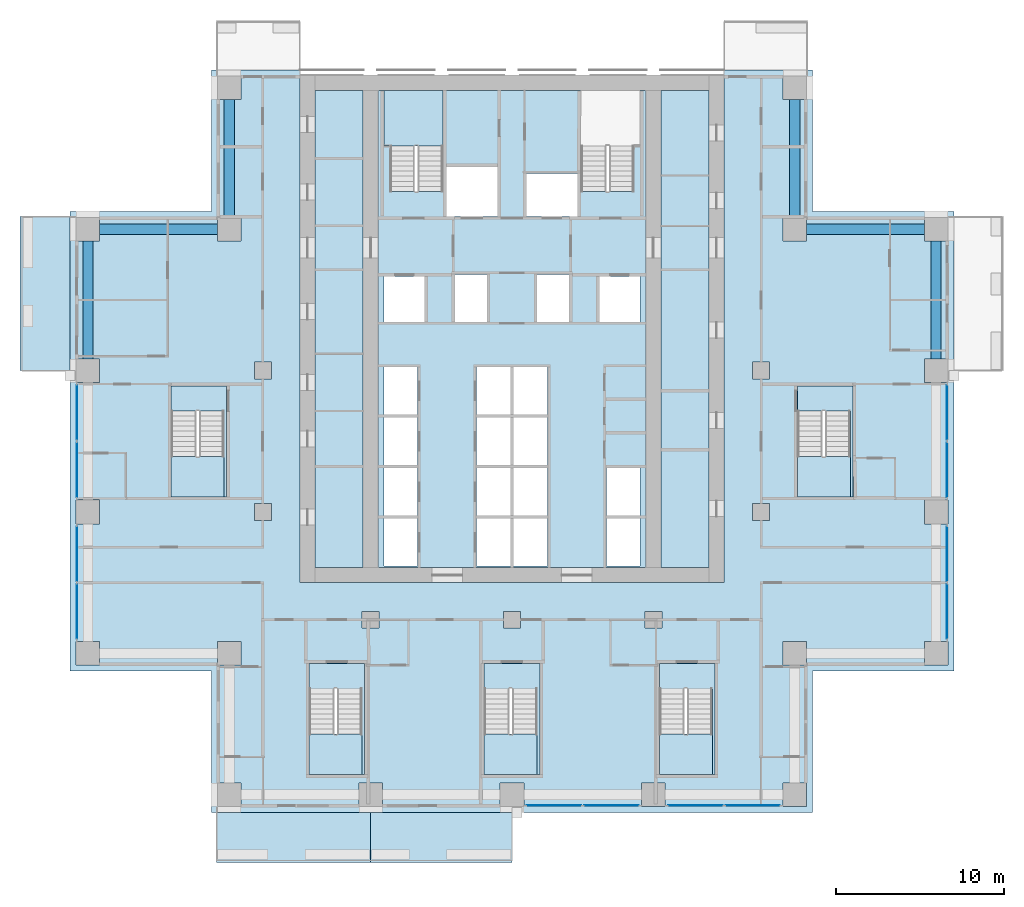
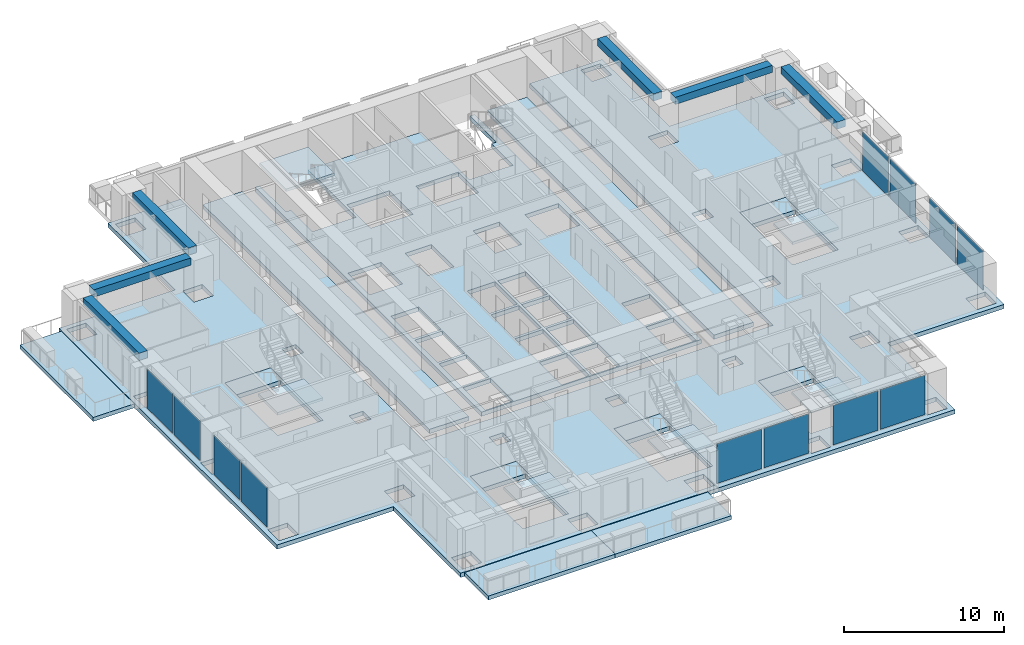
# One storey, part 5 of 16: 18 slabs, 12 plates, 6 beams, 12 elements without a shape of their own.
"""IFC4 building model written with IfcOpenShell, lengths in metres."""

from ifc_helpers import new_model, si_unit, direction, frame, origin, origin_2d, place, context, subcontext, project, spatial, polyline, rectangle, outline, extrude, material, layer, layer_set, material_profile, profile_set, type_object, element, aggregate, save


model = new_model("IFC4")

# Units and contexts
model_context = context("Model", 3, precision=1e-05, world=origin(), true_north=direction((0.0, 1.0)))
body_context = subcontext(model_context, "Body", "Model", "MODEL_VIEW")
ifc_project = project(units=[si_unit("LENGTHUNIT", "METRE"), si_unit("AREAUNIT", "SQUARE_METRE"), si_unit("VOLUMEUNIT", "CUBIC_METRE"), si_unit("PLANEANGLEUNIT", "RADIAN"), si_unit("MASSUNIT", "GRAM", prefix="KILO")], contexts=[model_context])

# Site, building, storey
site_placement = place(None, origin())
site = spatial("IfcSite", under=ifc_project, at=site_placement, CompositionType="ELEMENT")
building_placement = place(site_placement, origin())
building = spatial("IfcBuilding", under=site, at=building_placement, Name="Vermilion Ogive Tower", CompositionType="ELEMENT")
storey_placement = place(building_placement, frame((0.0, 0.0, 44.85009765625)))
storey = spatial("IfcBuildingStorey", under=building, at=storey_placement, Name="L09", CompositionType="ELEMENT", Elevation=44.85009765625)

# Beams
ifc_material_1 = material(Name="Concrete B45", Category="concrete")
ifc_material_profile = material_profile(ifc_material_1, rectangle(XDim=0.60009765625, YDim=0.550048828125, at=origin_2d()), Name="600 x 550")
ifc_profile_set = profile_set([ifc_material_profile], Name="Concrete B45")
beam_type = type_object("IfcBeamType", Name="Edge beam 600 x 550 B45", PredefinedType="BEAM", material=ifc_profile_set)
for number, where, z_axis, x_axis, name in (
    (1, (25.199951171875, 4.89990234375, 2.85498046875), (0.0, 1.0, 0.0), (-1.0, 0.0, 0.0), "L09-EB-9"),
    (2, (24.5, 12.60009765625, 2.85498046875), (-1.0, 0.0, 0.0), (0.0, -1.0, 0.0), "L09-EB-10"),
    (3, (16.800048828125, 13.300048828125, 2.85498046875), (0.0, 1.0, 0.0), (-1.0, 0.0, 0.0), "L09-EB-11"),
    (4, (-16.800048828125, 20.300048828125, 2.85498046875), (0.0, -1.0, 0.0), (1.0, 0.0, 0.0), "L09-EB-12"),
    (5, (-17.5, 12.60009765625, 2.85498046875), (-1.0, 0.0, 0.0), (0.0, -1.0, 0.0), "L09-EB-13"),
    (6, (-25.199951171875, 11.89990234375, 2.85498046875), (0.0, -1.0, 0.0), (1.0, 0.0, 0.0), "L09-EB-14"),
):
    element("IfcBeam", number, at=place(storey_placement, frame(where, z_axis=z_axis, x_axis=x_axis)), inside=storey, type_object=beam_type, Name=name, PredefinedType="BEAM", context=body_context, shape_type="SweptSolid", body=[
        extrude(rectangle(XDim=0.60009765625, YDim=0.550048828125, at=origin_2d()), origin(), (0.0, 0.0, 1.0), 7.0),
    ])

# Slabs
ifc_material_2 = material(Name="Concrete B40", Category="concrete")
ifc_layer_1 = layer(ifc_material_2, 0.300048828125)
ifc_layer_set_1 = layer_set([ifc_layer_1], Name="Balcony slab")
slab_type_1 = type_object("IfcSlabType", Name="Balcony slab", PredefinedType="FLOOR", material=ifc_layer_set_1)
slab_1_placement = place(storey_placement, frame((0.0, 0.0, -0.340087890625)))
element("IfcSlab", 7, at=slab_1_placement, inside=storey, type_object=slab_type_1, Name="Balcony slab S01", PredefinedType="FLOOR", context=body_context, shape_type="SweptSolid", body=[
    extrude(outline(polyline([(-17.550048828125, -25.030029296875), (-8.39990234375, -25.030029296875), (-8.39990234375, -22.050048828125), (-17.550048828125, -22.050048828125), (-17.550048828125, -25.030029296875)])), origin(), (0.0, 0.0, 1.0), 0.300048828125),
])
slab_2_placement = place(storey_placement, frame((0.0, 0.0, -0.340087890625)))
element("IfcSlab", 8, at=slab_2_placement, inside=storey, type_object=slab_type_1, Name="Balcony slab S02", PredefinedType="FLOOR", context=body_context, shape_type="SweptSolid", body=[
    extrude(outline(polyline([(-8.39990234375, -25.030029296875), (0.0, -25.030029296875), (0.0, -22.050048828125), (-8.39990234375, -22.050048828125), (-8.39990234375, -25.030029296875)])), origin(), (0.0, 0.0, 1.0), 0.300048828125),
])
slab_3_placement = place(storey_placement, frame((0.0, 0.0, -0.340087890625)))
element("IfcSlab", 9, at=slab_3_placement, inside=storey, type_object=slab_type_1, Name="Balcony slab W01", PredefinedType="FLOOR", context=body_context, shape_type="SweptSolid", body=[
    extrude(outline(polyline([(-29.22998046875, 13.35009765625), (-29.22998046875, 4.199951171875), (-26.25, 4.199951171875), (-26.25, 13.35009765625), (-29.22998046875, 13.35009765625)])), origin(), (0.0, 0.0, 1.0), 0.300048828125),
])

# Curtain wall, plates
ifc_material_3 = material(Name="Low-iron laminated glazing in aluminium frame", Category="aluminium")
curtain_wall_type = type_object("IfcCurtainWallType", Name="Curtain wall CW7", PredefinedType="NOTDEFINED", material=ifc_material_3)
curtain_wall_1_placement = place(storey_placement, origin())
curtain_wall_1 = element("IfcCurtainWall", 10, at=curtain_wall_1_placement, inside=storey, type_object=curtain_wall_type, Name="Glazed skin S3", PredefinedType="NOTDEFINED")
ifc_material_4 = material(Name="Low-iron laminated glazing in aluminium frame", Category="aluminium")
ifc_layer_2 = layer(ifc_material_4, 0.031982421875)
ifc_layer_set_2 = layer_set([ifc_layer_2], Name="CW7 glazing panel 32")
plate_type = type_object("IfcPlateType", Name="CW7 glazing panel 32", PredefinedType="CURTAIN_PANEL", material=ifc_layer_set_2)
plate_1_placement = place(storey_placement, frame((2.4951171875, -21.64990234375, 0.06005859375), z_axis=(0.0, 0.0, 1.0), x_axis=(1.0, 0.0, 0.0)))
plate_1 = element("IfcPlate", 11, at=plate_1_placement, type_object=plate_type, Name="CW7-S3 panel 1.1", PredefinedType="CURTAIN_PANEL", context=body_context, shape_type="SweptSolid", body=[
    extrude(rectangle(XDim=3.22998046875, YDim=0.031982421875, at=origin_2d()), origin(), (0.0, 0.0, 1.0), 3.010009765625),
])
plate_2_placement = place(storey_placement, frame((5.905029296875, -21.64990234375, 0.06005859375), z_axis=(0.0, 0.0, 1.0), x_axis=(1.0, 0.0, 0.0)))
plate_2 = element("IfcPlate", 12, at=plate_2_placement, type_object=plate_type, Name="CW7-S3 panel 2.1", PredefinedType="CURTAIN_PANEL", context=body_context, shape_type="SweptSolid", body=[
    extrude(rectangle(XDim=3.22998046875, YDim=0.031982421875, at=origin_2d()), origin(), (0.0, 0.0, 1.0), 3.010009765625),
])
aggregate(curtain_wall_1, [plate_1, plate_2])

curtain_wall_2_placement = place(storey_placement, origin())
curtain_wall_2 = element("IfcCurtainWall", 13, at=curtain_wall_2_placement, inside=storey, type_object=curtain_wall_type, Name="Glazed skin S4", PredefinedType="NOTDEFINED")
plate_3_placement = place(storey_placement, frame((10.89501953125, -21.64990234375, 0.06005859375), z_axis=(0.0, 0.0, 1.0), x_axis=(1.0, 0.0, 0.0)))
plate_3 = element("IfcPlate", 14, at=plate_3_placement, type_object=plate_type, Name="CW7-S4 panel 1.1", PredefinedType="CURTAIN_PANEL", context=body_context, shape_type="SweptSolid", body=[
    extrude(rectangle(XDim=3.22998046875, YDim=0.031982421875, at=origin_2d()), origin(), (0.0, 0.0, 1.0), 3.010009765625),
])
plate_4_placement = place(storey_placement, frame((14.304931640625, -21.64990234375, 0.06005859375), z_axis=(0.0, 0.0, 1.0), x_axis=(1.0, 0.0, 0.0)))
plate_4 = element("IfcPlate", 15, at=plate_4_placement, type_object=plate_type, Name="CW7-S4 panel 2.1", PredefinedType="CURTAIN_PANEL", context=body_context, shape_type="SweptSolid", body=[
    extrude(rectangle(XDim=3.22998046875, YDim=0.031982421875, at=origin_2d()), origin(), (0.0, 0.0, 1.0), 3.010009765625),
])
aggregate(curtain_wall_2, [plate_3, plate_4])

curtain_wall_3_placement = place(storey_placement, origin())
curtain_wall_3 = element("IfcCurtainWall", 16, at=curtain_wall_3_placement, inside=storey, type_object=curtain_wall_type, Name="Glazed skin E1", PredefinedType="NOTDEFINED")
plate_5_placement = place(storey_placement, frame((25.85009765625, -10.10498046875, 0.06005859375), z_axis=(0.0, 0.0, 1.0), x_axis=(0.0, 1.0, 0.0)))
plate_5 = element("IfcPlate", 17, at=plate_5_placement, type_object=plate_type, Name="CW7-E1 panel 1.1", PredefinedType="CURTAIN_PANEL", context=body_context, shape_type="SweptSolid", body=[
    extrude(rectangle(XDim=3.22998046875, YDim=0.031982421875, at=origin_2d()), origin(), (0.0, 0.0, 1.0), 3.010009765625),
])
plate_6_placement = place(storey_placement, frame((25.85009765625, -6.695068359375, 0.06005859375), z_axis=(0.0, 0.0, 1.0), x_axis=(0.0, 1.0, 0.0)))
plate_6 = element("IfcPlate", 18, at=plate_6_placement, type_object=plate_type, Name="CW7-E1 panel 2.1", PredefinedType="CURTAIN_PANEL", context=body_context, shape_type="SweptSolid", body=[
    extrude(rectangle(XDim=3.22998046875, YDim=0.031982421875, at=origin_2d()), origin(), (0.0, 0.0, 1.0), 3.010009765625),
])
aggregate(curtain_wall_3, [plate_5, plate_6])

curtain_wall_4_placement = place(storey_placement, origin())
curtain_wall_4 = element("IfcCurtainWall", 19, at=curtain_wall_4_placement, inside=storey, type_object=curtain_wall_type, Name="Glazed skin E2", PredefinedType="NOTDEFINED")
plate_7_placement = place(storey_placement, frame((25.85009765625, -1.705078125, 0.06005859375), z_axis=(0.0, 0.0, 1.0), x_axis=(0.0, 1.0, 0.0)))
plate_7 = element("IfcPlate", 20, at=plate_7_placement, type_object=plate_type, Name="CW7-E2 panel 1.1", PredefinedType="CURTAIN_PANEL", context=body_context, shape_type="SweptSolid", body=[
    extrude(rectangle(XDim=3.22998046875, YDim=0.031982421875, at=origin_2d()), origin(), (0.0, 0.0, 1.0), 3.010009765625),
])
plate_8_placement = place(storey_placement, frame((25.85009765625, 1.705078125, 0.06005859375), z_axis=(0.0, 0.0, 1.0), x_axis=(0.0, 1.0, 0.0)))
plate_8 = element("IfcPlate", 21, at=plate_8_placement, type_object=plate_type, Name="CW7-E2 panel 2.1", PredefinedType="CURTAIN_PANEL", context=body_context, shape_type="SweptSolid", body=[
    extrude(rectangle(XDim=3.22998046875, YDim=0.031982421875, at=origin_2d()), origin(), (0.0, 0.0, 1.0), 3.010009765625),
])
aggregate(curtain_wall_4, [plate_7, plate_8])

curtain_wall_5_placement = place(storey_placement, origin())
curtain_wall_5 = element("IfcCurtainWall", 22, at=curtain_wall_5_placement, inside=storey, type_object=curtain_wall_type, Name="Glazed skin W2", PredefinedType="NOTDEFINED")
plate_9_placement = place(storey_placement, frame((-25.85009765625, 1.705078125, 0.06005859375), z_axis=(0.0, 0.0, 1.0), x_axis=(0.0, -1.0, 0.0)))
plate_9 = element("IfcPlate", 23, at=plate_9_placement, type_object=plate_type, Name="CW7-W2 panel 1.1", PredefinedType="CURTAIN_PANEL", context=body_context, shape_type="SweptSolid", body=[
    extrude(rectangle(XDim=3.22998046875, YDim=0.031982421875, at=origin_2d()), origin(), (0.0, 0.0, 1.0), 3.010009765625),
])
plate_10_placement = place(storey_placement, frame((-25.85009765625, -1.705078125, 0.06005859375), z_axis=(0.0, 0.0, 1.0), x_axis=(0.0, -1.0, 0.0)))
plate_10 = element("IfcPlate", 24, at=plate_10_placement, type_object=plate_type, Name="CW7-W2 panel 2.1", PredefinedType="CURTAIN_PANEL", context=body_context, shape_type="SweptSolid", body=[
    extrude(rectangle(XDim=3.22998046875, YDim=0.031982421875, at=origin_2d()), origin(), (0.0, 0.0, 1.0), 3.010009765625),
])
aggregate(curtain_wall_5, [plate_9, plate_10])

curtain_wall_6_placement = place(storey_placement, origin())
curtain_wall_6 = element("IfcCurtainWall", 25, at=curtain_wall_6_placement, inside=storey, type_object=curtain_wall_type, Name="Glazed skin W3", PredefinedType="NOTDEFINED")
plate_11_placement = place(storey_placement, frame((-25.85009765625, -6.695068359375, 0.06005859375), z_axis=(0.0, 0.0, 1.0), x_axis=(0.0, -1.0, 0.0)))
plate_11 = element("IfcPlate", 26, at=plate_11_placement, type_object=plate_type, Name="CW7-W3 panel 1.1", PredefinedType="CURTAIN_PANEL", context=body_context, shape_type="SweptSolid", body=[
    extrude(rectangle(XDim=3.22998046875, YDim=0.031982421875, at=origin_2d()), origin(), (0.0, 0.0, 1.0), 3.010009765625),
])
plate_12_placement = place(storey_placement, frame((-25.85009765625, -10.10498046875, 0.06005859375), z_axis=(0.0, 0.0, 1.0), x_axis=(0.0, -1.0, 0.0)))
plate_12 = element("IfcPlate", 27, at=plate_12_placement, type_object=plate_type, Name="CW7-W3 panel 2.1", PredefinedType="CURTAIN_PANEL", context=body_context, shape_type="SweptSolid", body=[
    extrude(rectangle(XDim=3.22998046875, YDim=0.031982421875, at=origin_2d()), origin(), (0.0, 0.0, 1.0), 3.010009765625),
])
aggregate(curtain_wall_6, [plate_11, plate_12])

# Slabs
ifc_material_5 = material(Name="Concrete B40", Category="concrete")
ifc_layer_3 = layer(ifc_material_5, 0.320068359375)
ifc_layer_set_3 = layer_set([ifc_layer_3], Name="Core floor slab 320 B40")
slab_type_2 = type_object("IfcSlabType", Name="Core floor slab 320 B40", PredefinedType="FLOOR", material=ifc_layer_set_3)
slab_4_placement = place(storey_placement, frame((0.0, 0.0, -0.320068359375)))
element("IfcSlab", 28, at=slab_4_placement, inside=storey, type_object=slab_type_2, Name="L09-CK-FS1", PredefinedType="FLOOR", context=body_context, shape_type="SweptSolid", body=[
    extrude(outline(polyline([(-8.85400390625, -7.49609375), (-11.696044921875, -7.49609375), (-11.696044921875, 20.845947265625), (-8.85400390625, 20.845947265625), (-8.85400390625, -7.49609375)])), origin(), (0.0, 0.0, 1.0), 0.320068359375),
])
slab_5_placement = place(storey_placement, frame((0.0, 0.0, -0.320068359375)))
element("IfcSlab", 29, at=slab_5_placement, inside=storey, type_object=slab_type_2, Name="L09-CK-FS2", PredefinedType="FLOOR", context=body_context, shape_type="SweptSolid", body=[
    extrude(outline(polyline([(5.75, 14.85009765625), (5.60009765625, 14.85009765625), (5.60009765625, 14.85205078125), (4.10009765625, 14.85205078125), (4.10009765625, 17.550048828125), (4.074951171875, 17.550048828125), (4.074951171875, 20.845947265625), (-4.10009765625, 20.845947265625), (-4.10009765625, 14.85205078125), (-5.60009765625, 14.85205078125), (-5.60009765625, 14.85009765625), (-5.75, 14.85009765625), (-5.75, 14.85205078125), (-7.25, 14.85205078125), (-7.25, 17.550048828125), (-7.60009765625, 17.550048828125), (-7.60009765625, 20.845947265625), (-7.946044921875, 20.845947265625), (-7.946044921875, -7.49609375), (7.946044921875, -7.49609375), (7.946044921875, 20.845947265625), (7.60009765625, 20.845947265625), (7.60009765625, 17.550048828125), (7.25, 17.550048828125), (7.25, 14.85205078125), (5.75, 14.85205078125), (5.75, 14.85009765625)]), holes=[polyline([(-7.60009765625, -4.60009765625), (-5.60009765625, -4.60009765625), (-5.60009765625, -7.39990234375), (-7.60009765625, -7.39990234375), (-7.60009765625, -4.60009765625)]), polyline([(-2.10009765625, -4.60009765625), (-0.10009765625, -4.60009765625), (-0.10009765625, -7.39990234375), (-2.10009765625, -7.39990234375), (-2.10009765625, -4.60009765625)]), polyline([(-7.60009765625, -4.39990234375), (-7.60009765625, -1.60009765625), (-5.60009765625, -1.60009765625), (-5.60009765625, -4.39990234375), (-7.60009765625, -4.39990234375)]), polyline([(-2.10009765625, -1.60009765625), (-0.10009765625, -1.60009765625), (-0.10009765625, -4.39990234375), (-2.10009765625, -4.39990234375), (-2.10009765625, -1.60009765625)]), polyline([(-7.60009765625, -1.39990234375), (-7.60009765625, 1.39990234375), (-5.60009765625, 1.39990234375), (-5.60009765625, -1.39990234375), (-7.60009765625, -1.39990234375)]), polyline([(-2.10009765625, 1.39990234375), (-0.10009765625, 1.39990234375), (-0.10009765625, -1.39990234375), (-2.10009765625, -1.39990234375), (-2.10009765625, 1.39990234375)]), polyline([(-7.60009765625, 4.39990234375), (-5.60009765625, 4.39990234375), (-5.60009765625, 1.60009765625), (-7.60009765625, 1.60009765625), (-7.60009765625, 4.39990234375)]), polyline([(-2.10009765625, 4.39990234375), (-0.10009765625, 4.39990234375), (-0.10009765625, 1.60009765625), (-2.10009765625, 1.60009765625), (-2.10009765625, 4.39990234375)]), polyline([(-7.60009765625, 9.800048828125), (-5.199951171875, 9.800048828125), (-5.199951171875, 7.10009765625), (-7.60009765625, 7.10009765625), (-7.60009765625, 9.800048828125)]), polyline([(-3.39990234375, 9.89990234375), (-1.5, 9.89990234375), (-1.5, 7.10009765625), (-3.39990234375, 7.10009765625), (-3.39990234375, 9.89990234375)]), polyline([(-3.89990234375, 16.300048828125), (-0.85009765625, 16.300048828125), (-0.85009765625, 13.35009765625), (-3.89990234375, 13.35009765625), (-3.89990234375, 16.300048828125)]), polyline([(0.10009765625, -4.60009765625), (2.10009765625, -4.60009765625), (2.10009765625, -7.39990234375), (0.10009765625, -7.39990234375), (0.10009765625, -4.60009765625)]), polyline([(5.60009765625, -4.60009765625), (7.60009765625, -4.60009765625), (7.60009765625, -7.39990234375), (5.60009765625, -7.39990234375), (5.60009765625, -4.60009765625)]), polyline([(0.10009765625, -1.60009765625), (2.10009765625, -1.60009765625), (2.10009765625, -4.39990234375), (0.10009765625, -4.39990234375), (0.10009765625, -1.60009765625)]), polyline([(5.60009765625, -1.60009765625), (7.60009765625, -1.60009765625), (7.60009765625, -4.39990234375), (5.60009765625, -4.39990234375), (5.60009765625, -1.60009765625)]), polyline([(0.10009765625, 1.39990234375), (2.10009765625, 1.39990234375), (2.10009765625, -1.39990234375), (0.10009765625, -1.39990234375), (0.10009765625, 1.39990234375)]), polyline([(0.10009765625, 4.39990234375), (2.10009765625, 4.39990234375), (2.10009765625, 1.60009765625), (0.10009765625, 1.60009765625), (0.10009765625, 4.39990234375)]), polyline([(5.199951171875, 9.800048828125), (7.60009765625, 9.800048828125), (7.60009765625, 7.10009765625), (5.199951171875, 7.10009765625), (5.199951171875, 9.800048828125)]), polyline([(1.5, 9.89990234375), (3.39990234375, 9.89990234375), (3.39990234375, 7.10009765625), (1.5, 7.10009765625), (1.5, 9.89990234375)]), polyline([(0.85009765625, 15.89990234375), (3.89990234375, 15.89990234375), (3.89990234375, 13.35009765625), (0.85009765625, 13.35009765625), (0.85009765625, 15.89990234375)])]), origin(), (0.0, 0.0, 1.0), 0.320068359375),
])
slab_6_placement = place(storey_placement, frame((0.0, 0.0, -0.320068359375)))
element("IfcSlab", 30, at=slab_6_placement, inside=storey, type_object=slab_type_2, Name="L09-CK-FS3", PredefinedType="FLOOR", context=body_context, shape_type="SweptSolid", body=[
    extrude(outline(polyline([(8.85400390625, 20.845947265625), (11.696044921875, 20.845947265625), (11.696044921875, -7.49609375), (8.85400390625, -7.49609375), (8.85400390625, 20.845947265625)])), origin(), (0.0, 0.0, 1.0), 0.320068359375),
])
slab_7_placement = place(storey_placement, frame((0.0, 0.0, -0.320068359375)))
element("IfcSlab", 31, at=slab_7_placement, inside=storey, type_object=slab_type_2, Name="L09-SF-ST3-1", PredefinedType="FLOOR", context=body_context, shape_type="SweptSolid", body=[
    extrude(outline(polyline([(-12.050048828125, -13.199951171875), (-12.050048828125, -14.701904296875), (-10.550048828125, -14.701904296875), (-10.550048828125, -14.699951171875), (-10.39990234375, -14.699951171875), (-10.39990234375, -14.701904296875), (-8.89990234375, -14.701904296875), (-8.89990234375, -19.800048828125), (-8.75, -19.800048828125), (-8.75, -13.199951171875), (-12.050048828125, -13.199951171875)])), origin(), (0.0, 0.0, 1.0), 0.320068359375),
])
slab_8_placement = place(storey_placement, frame((0.0, 0.0, -0.320068359375)))
element("IfcSlab", 32, at=slab_8_placement, inside=storey, type_object=slab_type_2, Name="L09-SF-ST4-1", PredefinedType="FLOOR", context=body_context, shape_type="SweptSolid", body=[
    extrude(outline(polyline([(-1.64990234375, -13.199951171875), (-1.64990234375, -14.701904296875), (-0.14990234375, -14.701904296875), (-0.14990234375, -14.699951171875), (0.0, -14.699951171875), (0.0, -14.701904296875), (1.5, -14.701904296875), (1.5, -19.800048828125), (1.64990234375, -19.800048828125), (1.64990234375, -13.199951171875), (-1.64990234375, -13.199951171875)])), origin(), (0.0, 0.0, 1.0), 0.320068359375),
])
slab_9_placement = place(storey_placement, frame((0.0, 0.0, -0.320068359375)))
element("IfcSlab", 33, at=slab_9_placement, inside=storey, type_object=slab_type_2, Name="L09-SF-ST5-1", PredefinedType="FLOOR", context=body_context, shape_type="SweptSolid", body=[
    extrude(outline(polyline([(8.75, -13.199951171875), (8.75, -14.701904296875), (10.25, -14.701904296875), (10.25, -14.699951171875), (10.39990234375, -14.699951171875), (10.39990234375, -14.701904296875), (11.89990234375, -14.701904296875), (11.89990234375, -19.800048828125), (12.050048828125, -19.800048828125), (12.050048828125, -13.199951171875), (8.75, -13.199951171875)])), origin(), (0.0, 0.0, 1.0), 0.320068359375),
])
slab_10_placement = place(storey_placement, frame((0.0, 0.0, -0.320068359375)))
element("IfcSlab", 34, at=slab_10_placement, inside=storey, type_object=slab_type_2, Name="L09-SF-ST8-1", PredefinedType="FLOOR", context=body_context, shape_type="SweptSolid", body=[
    extrude(outline(polyline([(16.949951171875, 3.300048828125), (16.949951171875, 1.798095703125), (18.449951171875, 1.798095703125), (18.449951171875, 1.800048828125), (18.60009765625, 1.800048828125), (18.60009765625, 1.798095703125), (20.10009765625, 1.798095703125), (20.10009765625, -3.300048828125), (20.25, -3.300048828125), (20.25, 3.300048828125), (16.949951171875, 3.300048828125)])), origin(), (0.0, 0.0, 1.0), 0.320068359375),
])
slab_11_placement = place(storey_placement, frame((0.0, 0.0, -0.320068359375)))
element("IfcSlab", 35, at=slab_11_placement, inside=storey, type_object=slab_type_2, Name="L09-SF-ST9-1", PredefinedType="FLOOR", context=body_context, shape_type="SweptSolid", body=[
    extrude(outline(polyline([(-20.25, 3.300048828125), (-20.25, 1.798095703125), (-18.75, 1.798095703125), (-18.75, 1.800048828125), (-18.60009765625, 1.800048828125), (-18.60009765625, 1.798095703125), (-17.10009765625, 1.798095703125), (-17.10009765625, -3.300048828125), (-16.949951171875, -3.300048828125), (-16.949951171875, 3.300048828125), (-20.25, 3.300048828125)])), origin(), (0.0, 0.0, 1.0), 0.320068359375),
])
ifc_material_6 = material(Name="Concrete B45", Category="concrete")
ifc_layer_4 = layer(ifc_material_6, 0.320068359375)
ifc_layer_set_4 = layer_set([ifc_layer_4], Name="Post-tensioned flat plate 320 B45")
slab_type_3 = type_object("IfcSlabType", Name="Post-tensioned flat plate 320 B45", PredefinedType="FLOOR", material=ifc_layer_set_4)
slab_12_placement = place(storey_placement, frame((0.0, 0.0, -0.320068359375)))
element("IfcSlab", 36, at=slab_12_placement, inside=storey, type_object=slab_type_3, Name="L09-SL-1", PredefinedType="FLOOR", context=body_context, shape_type="SweptSolid", body=[
    extrude(outline(polyline([(-26.25, -13.64990234375), (-17.85009765625, -13.64990234375), (-17.85009765625, -22.050048828125), (17.85009765625, -22.050048828125), (17.85009765625, -13.64990234375), (26.25, -13.64990234375), (26.25, 13.64990234375), (17.85009765625, 13.64990234375), (17.85009765625, 22.050048828125), (12.60009765625, 22.050048828125), (12.60009765625, -8.39990234375), (-12.60009765625, -8.39990234375), (-12.60009765625, 22.050048828125), (-17.85009765625, 22.050048828125), (-17.85009765625, 13.64990234375), (-26.25, 13.64990234375), (-26.25, -13.64990234375)]), holes=[polyline([(25.89990234375, -3.5), (25.89990234375, -4.89990234375), (24.5, -4.89990234375), (24.5, -3.5), (25.89990234375, -3.5)]), polyline([(25.89990234375, -11.89990234375), (25.89990234375, -13.300048828125), (24.5, -13.300048828125), (24.5, -11.89990234375), (25.89990234375, -11.89990234375)]), polyline([(25.89990234375, 11.89990234375), (24.5, 11.89990234375), (24.5, 13.300048828125), (25.89990234375, 13.300048828125), (25.89990234375, 11.89990234375)]), polyline([(25.89990234375, 3.5), (24.5, 3.5), (24.5, 4.89990234375), (25.89990234375, 4.89990234375), (25.89990234375, 3.5)]), polyline([(20.25, -3.2998046875), (20.25, -3.300048828125), (16.949951171875, -3.300048828125), (16.949951171875, 3.300048828125), (20.25, 3.300048828125), (20.25, -0.89990234375), (20.275146484375, -0.89990234375), (20.275146484375, -3.2998046875), (20.25, -3.2998046875)]), polyline([(17.5, -11.89990234375), (17.5, -13.300048828125), (16.10009765625, -13.300048828125), (16.10009765625, -11.89990234375), (17.5, -11.89990234375)]), polyline([(17.5, 20.300048828125), (16.10009765625, 20.300048828125), (16.10009765625, 21.699951171875), (17.5, 21.699951171875), (17.5, 20.300048828125)]), polyline([(17.5, -20.300048828125), (17.5, -21.699951171875), (16.10009765625, -21.699951171875), (16.10009765625, -20.300048828125), (17.5, -20.300048828125)]), polyline([(17.5, 13.300048828125), (17.5, 11.89990234375), (16.10009765625, 11.89990234375), (16.10009765625, 13.300048828125), (17.5, 13.300048828125)]), polyline([(15.300048828125, 4.699951171875), (15.300048828125, 3.699951171875), (14.300048828125, 3.699951171875), (14.300048828125, 4.699951171875), (15.300048828125, 4.699951171875)]), polyline([(15.300048828125, -4.699951171875), (14.300048828125, -4.699951171875), (14.300048828125, -3.699951171875), (15.300048828125, -3.699951171875), (15.300048828125, -4.699951171875)]), polyline([(12.050048828125, -13.199951171875), (12.050048828125, -19.800048828125), (8.75, -19.800048828125), (8.75, -13.199951171875), (12.050048828125, -13.199951171875)]), polyline([(9.10009765625, -20.300048828125), (9.10009765625, -21.699951171875), (7.699951171875, -21.699951171875), (7.699951171875, -20.300048828125), (9.10009765625, -20.300048828125)]), polyline([(8.89990234375, -11.10009765625), (7.89990234375, -11.10009765625), (7.89990234375, -10.10009765625), (8.89990234375, -10.10009765625), (8.89990234375, -11.10009765625)]), polyline([(1.64990234375, -13.199951171875), (1.64990234375, -19.800048828125), (-1.64990234375, -19.800048828125), (-1.64990234375, -13.199951171875), (1.64990234375, -13.199951171875)]), polyline([(0.699951171875, -20.300048828125), (0.699951171875, -21.699951171875), (-0.699951171875, -21.699951171875), (-0.699951171875, -20.300048828125), (0.699951171875, -20.300048828125)]), polyline([(0.5, -10.10009765625), (0.5, -11.10009765625), (-0.5, -11.10009765625), (-0.5, -10.10009765625), (0.5, -10.10009765625)]), polyline([(-7.699951171875, -20.300048828125), (-7.699951171875, -21.699951171875), (-9.10009765625, -21.699951171875), (-9.10009765625, -20.300048828125), (-7.699951171875, -20.300048828125)]), polyline([(-7.89990234375, -10.10009765625), (-7.89990234375, -11.10009765625), (-8.89990234375, -11.10009765625), (-8.89990234375, -10.10009765625), (-7.89990234375, -10.10009765625)]), polyline([(-8.75, -13.199951171875), (-8.75, -19.800048828125), (-12.050048828125, -19.800048828125), (-12.050048828125, -13.199951171875), (-8.75, -13.199951171875)]), polyline([(-14.300048828125, 4.699951171875), (-14.300048828125, 3.699951171875), (-15.300048828125, 3.699951171875), (-15.300048828125, 4.699951171875), (-14.300048828125, 4.699951171875)]), polyline([(-14.300048828125, -4.699951171875), (-15.300048828125, -4.699951171875), (-15.300048828125, -3.699951171875), (-14.300048828125, -3.699951171875), (-14.300048828125, -4.699951171875)]), polyline([(-16.10009765625, 13.300048828125), (-16.10009765625, 11.89990234375), (-17.5, 11.89990234375), (-17.5, 13.300048828125), (-16.10009765625, 13.300048828125)]), polyline([(-16.10009765625, -11.89990234375), (-16.10009765625, -13.300048828125), (-17.5, -13.300048828125), (-17.5, -11.89990234375), (-16.10009765625, -11.89990234375)]), polyline([(-16.10009765625, -20.300048828125), (-16.10009765625, -21.699951171875), (-17.5, -21.699951171875), (-17.5, -20.300048828125), (-16.10009765625, -20.300048828125)]), polyline([(-16.10009765625, 20.300048828125), (-17.5, 20.300048828125), (-17.5, 21.699951171875), (-16.10009765625, 21.699951171875), (-16.10009765625, 20.300048828125)]), polyline([(-16.949951171875, 3.300048828125), (-16.949951171875, -3.300048828125), (-20.25, -3.300048828125), (-20.25, 3.300048828125), (-16.949951171875, 3.300048828125)]), polyline([(-24.5, 3.5), (-25.89990234375, 3.5), (-25.89990234375, 4.89990234375), (-24.5, 4.89990234375), (-24.5, 3.5)]), polyline([(-24.5, 13.300048828125), (-24.5, 11.89990234375), (-25.89990234375, 11.89990234375), (-25.89990234375, 13.300048828125), (-24.5, 13.300048828125)]), polyline([(-24.5, -3.5), (-24.5, -4.89990234375), (-25.89990234375, -4.89990234375), (-25.89990234375, -3.5), (-24.5, -3.5)]), polyline([(-24.5, -11.89990234375), (-24.5, -13.300048828125), (-25.89990234375, -13.300048828125), (-25.89990234375, -11.89990234375), (-24.5, -11.89990234375)])]), origin(), (0.0, 0.0, 1.0), 0.320068359375),
])

# Stair, slab
ifc_material_7 = material(Name="Concrete B40", Category="concrete")
stair_type = type_object("IfcStairType", Name="Exit stair 1500", PredefinedType="HALF_TURN_STAIR", material=ifc_material_7)
stair_1_placement = place(storey_placement, origin())
stair_1 = element("IfcStair", 37, at=stair_1_placement, inside=storey, type_object=stair_type, Name="L09 Exit Stair ST1", PredefinedType="HALF_TURN_STAIR")
ifc_material_8 = material(Name="Concrete B40", Category="concrete")
ifc_layer_5 = layer(ifc_material_8, 0.199951171875)
ifc_layer_set_5 = layer_set([ifc_layer_5], Name="Stair landing 200")
slab_type_4 = type_object("IfcSlabType", Name="Stair landing 200", PredefinedType="LANDING", material=ifc_layer_set_5)
slab_13_placement = place(storey_placement, frame((0.0, 0.0, 1.52490234375)))
slab_13 = element("IfcSlab", 38, at=slab_13_placement, type_object=slab_type_4, Name="ST1 landing 1", PredefinedType="LANDING", context=body_context, shape_type="SweptSolid", body=[
    extrude(outline(polyline([(-7.60009765625, 17.550048828125), (-7.25, 17.550048828125), (-7.25, 17.548095703125), (-5.75, 17.548095703125), (-5.75, 17.550048828125), (-5.60009765625, 17.550048828125), (-5.60009765625, 17.548095703125), (-4.10009765625, 17.548095703125), (-4.10009765625, 20.85009765625), (-7.60009765625, 20.85009765625), (-7.60009765625, 17.550048828125)])), origin(), (0.0, 0.0, 1.0), 0.199951171875),
])
aggregate(stair_1, [slab_13])

stair_2_placement = place(storey_placement, origin())
stair_2 = element("IfcStair", 39, at=stair_2_placement, inside=storey, type_object=stair_type, Name="L09 Exit Stair ST3", PredefinedType="HALF_TURN_STAIR")
slab_14_placement = place(storey_placement, frame((0.0, 0.0, 1.52490234375)))
slab_14 = element("IfcSlab", 40, at=slab_14_placement, type_object=slab_type_4, Name="ST3 landing 1", PredefinedType="LANDING", context=body_context, shape_type="SweptSolid", body=[
    extrude(outline(polyline([(-8.75, -17.39990234375), (-8.89990234375, -17.39990234375), (-8.89990234375, -17.39794921875), (-10.39990234375, -17.39794921875), (-10.39990234375, -17.39990234375), (-10.550048828125, -17.39990234375), (-10.550048828125, -17.39794921875), (-12.050048828125, -17.39794921875), (-12.050048828125, -17.402099609375), (-12.0498046875, -17.402099609375), (-12.0498046875, -19.7998046875), (-8.75, -19.7998046875), (-8.75, -17.39990234375)])), origin(), (0.0, 0.0, 1.0), 0.199951171875),
])
aggregate(stair_2, [slab_14])

stair_3_placement = place(storey_placement, origin())
stair_3 = element("IfcStair", 41, at=stair_3_placement, inside=storey, type_object=stair_type, Name="L09 Exit Stair ST4", PredefinedType="HALF_TURN_STAIR")
slab_15_placement = place(storey_placement, frame((0.0, 0.0, 1.52490234375)))
slab_15 = element("IfcSlab", 42, at=slab_15_placement, type_object=slab_type_4, Name="ST4 landing 1", PredefinedType="LANDING", context=body_context, shape_type="SweptSolid", body=[
    extrude(outline(polyline([(1.64990234375, -17.39990234375), (1.5, -17.39990234375), (1.5, -17.39794921875), (0.0, -17.39794921875), (0.0, -17.39990234375), (-0.14990234375, -17.39990234375), (-0.14990234375, -17.39794921875), (-1.64990234375, -17.39794921875), (-1.64990234375, -19.7998046875), (1.64990234375, -19.7998046875), (1.64990234375, -17.39990234375)])), origin(), (0.0, 0.0, 1.0), 0.199951171875),
])
aggregate(stair_3, [slab_15])

stair_4_placement = place(storey_placement, origin())
stair_4 = element("IfcStair", 43, at=stair_4_placement, inside=storey, type_object=stair_type, Name="L09 Exit Stair ST5", PredefinedType="HALF_TURN_STAIR")
slab_16_placement = place(storey_placement, frame((0.0, 0.0, 1.52490234375)))
slab_16 = element("IfcSlab", 44, at=slab_16_placement, type_object=slab_type_4, Name="ST5 landing 1", PredefinedType="LANDING", context=body_context, shape_type="SweptSolid", body=[
    extrude(outline(polyline([(12.0498046875, -17.39990234375), (11.89990234375, -17.39990234375), (11.89990234375, -17.39794921875), (10.39990234375, -17.39794921875), (10.39990234375, -17.39990234375), (10.25, -17.39990234375), (10.25, -17.39794921875), (8.75, -17.39794921875), (8.75, -17.39990234375), (8.75, -17.39990234375), (8.75, -19.7998046875), (12.0498046875, -19.7998046875), (12.0498046875, -17.39990234375)])), origin(), (0.0, 0.0, 1.0), 0.199951171875),
])
aggregate(stair_4, [slab_16])

stair_5_placement = place(storey_placement, origin())
stair_5 = element("IfcStair", 45, at=stair_5_placement, inside=storey, type_object=stair_type, Name="L09 Exit Stair ST8", PredefinedType="HALF_TURN_STAIR")
slab_17_placement = place(storey_placement, frame((0.0, 0.0, 1.52490234375)))
slab_17 = element("IfcSlab", 46, at=slab_17_placement, type_object=slab_type_4, Name="ST8 landing 1", PredefinedType="LANDING", context=body_context, shape_type="SweptSolid", body=[
    extrude(outline(polyline([(20.275146484375, -0.89990234375), (20.10009765625, -0.89990234375), (20.10009765625, -0.89794921875), (18.60009765625, -0.89794921875), (18.60009765625, -0.89990234375), (18.449951171875, -0.89990234375), (18.449951171875, -0.89794921875), (16.949951171875, -0.89794921875), (16.949951171875, -0.902099609375), (16.9501953125, -0.902099609375), (16.9501953125, -3.2998046875), (20.275146484375, -3.2998046875), (20.275146484375, -0.89990234375)])), origin(), (0.0, 0.0, 1.0), 0.199951171875),
])
aggregate(stair_5, [slab_17])

stair_6_placement = place(storey_placement, origin())
stair_6 = element("IfcStair", 47, at=stair_6_placement, inside=storey, type_object=stair_type, Name="L09 Exit Stair ST9", PredefinedType="HALF_TURN_STAIR")
slab_18_placement = place(storey_placement, frame((0.0, 0.0, 1.52490234375)))
slab_18 = element("IfcSlab", 48, at=slab_18_placement, type_object=slab_type_4, Name="ST9 landing 1", PredefinedType="LANDING", context=body_context, shape_type="SweptSolid", body=[
    extrude(outline(polyline([(-16.9501953125, -0.89990234375), (-17.10009765625, -0.89990234375), (-17.10009765625, -0.89794921875), (-18.60009765625, -0.89794921875), (-18.60009765625, -0.89990234375), (-18.75, -0.89990234375), (-18.75, -0.89794921875), (-20.25, -0.89794921875), (-20.25, -0.89990234375), (-20.25, -0.89990234375), (-20.25, -3.2998046875), (-16.9501953125, -3.2998046875), (-16.9501953125, -0.89990234375)])), origin(), (0.0, 0.0, 1.0), 0.199951171875),
])
aggregate(stair_6, [slab_18])

save(model, "model.ifc")
